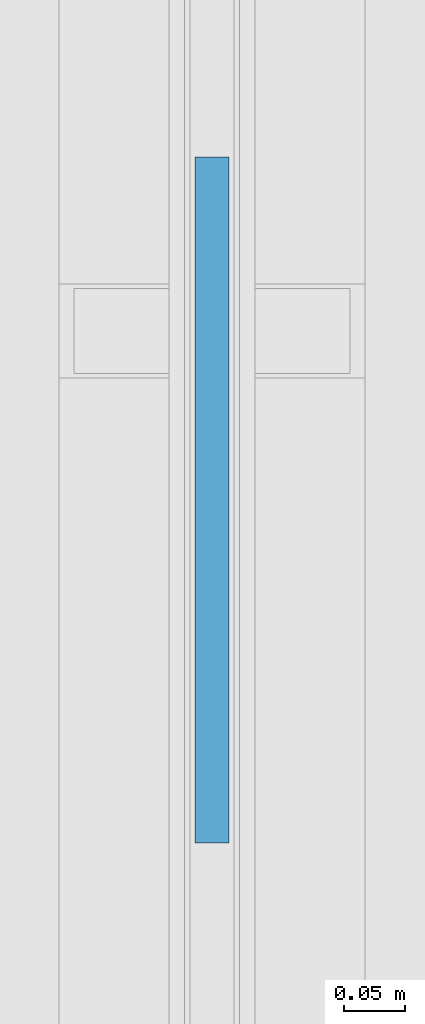
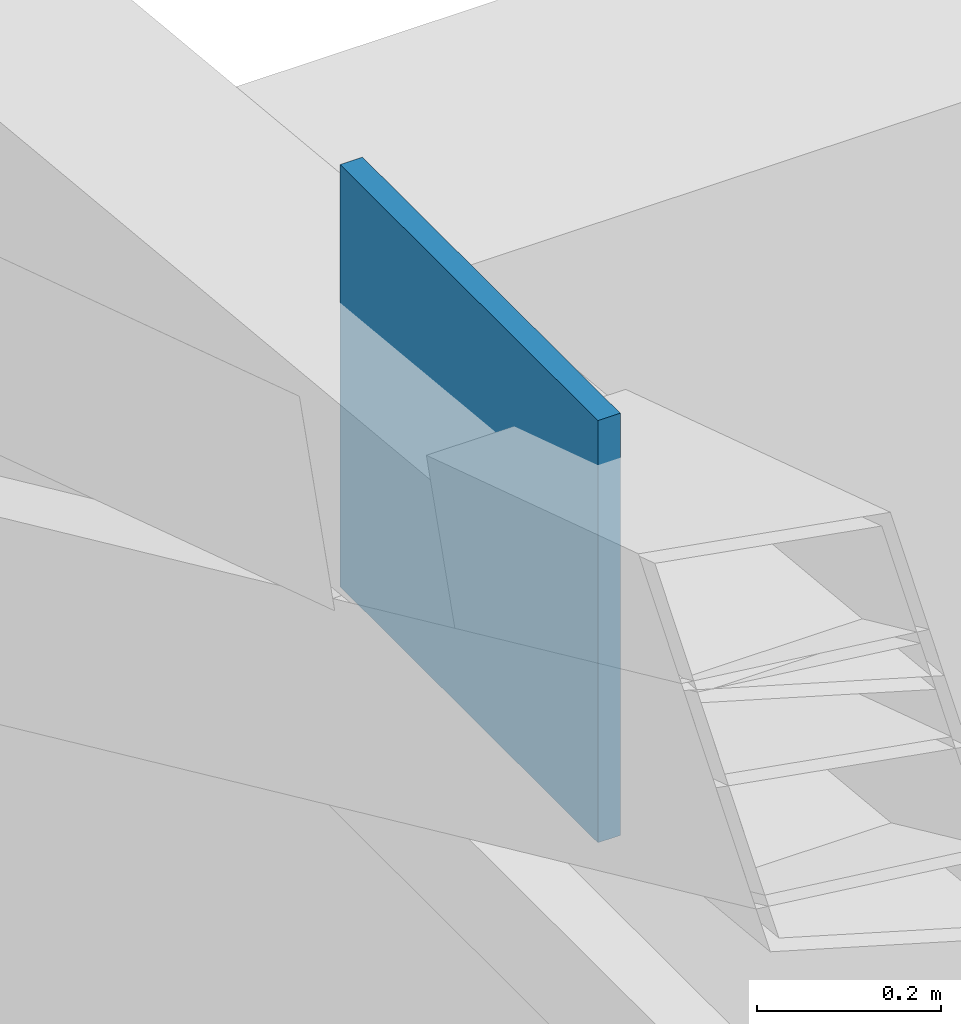
# One storey, part 146 of 220: 1 plate.
"""IFC4 building model written with IfcOpenShell, lengths in metres."""

from ifc_helpers import new_model, si_unit, direction, frame, origin, origin_2d, place, context, subcontext, project, spatial, rectangle, extrude, material, layer, layer_set, type_object, element, save


model = new_model("IFC4")

# Units and contexts
model_context = context("Model", 3, precision=1e-05, world=origin(), true_north=direction((0.0, 1.0)))
body_context = subcontext(model_context, "Body", "Model", "MODEL_VIEW")
ifc_project = project(units=[si_unit("LENGTHUNIT", "METRE"), si_unit("AREAUNIT", "SQUARE_METRE"), si_unit("VOLUMEUNIT", "CUBIC_METRE"), si_unit("PLANEANGLEUNIT", "RADIAN"), si_unit("MASSUNIT", "GRAM", prefix="KILO")], contexts=[model_context])

# Site, building, storey
site_placement = place(None, origin())
site = spatial("IfcSite", under=ifc_project, at=site_placement, CompositionType="ELEMENT")
building_placement = place(site_placement, origin())
building = spatial("IfcBuilding", under=site, at=building_placement, Name="Cendralis Lancet Convention Centre", CompositionType="ELEMENT")
storey_placement = place(building_placement, frame((0.0, 0.0, 5.39990234375)))
storey = spatial("IfcBuildingStorey", under=building, at=storey_placement, Name="L01", CompositionType="ELEMENT", Elevation=5.39990234375)

# Plate
ifc_material = material(Name="Steel S355", Category="steel")
ifc_layer = layer(ifc_material, 0.028076171875, Name="Steel S355")
ifc_layer_set = layer_set([ifc_layer], Name="Steel S355")
plate_type = type_object("IfcPlateType", Name="STR-PL-GP28B", PredefinedType="USERDEFINED", material=ifc_layer_set)
plate_placement = place(storey_placement, frame((0.0, 134.121337890625, 6.9853515625), z_axis=(0.0, 0.0, 1.0), x_axis=(0.0, 1.0, 0.0)))
element("IfcPlate", 1, at=plate_placement, inside=storey, type_object=plate_type, Name="Gable X-Brace Crossing Gusset Node Plate GP-28B 0-122", ObjectType="GUSSET PLATE", PredefinedType="USERDEFINED", context=body_context, shape_type="SweptSolid", body=[
    extrude(rectangle(XDim=0.56005859375, YDim=0.028076171875, at=origin_2d()), origin(), (0.0, 0.0, 1.0), 0.56005859375),
])

save(model, "model.ifc")
